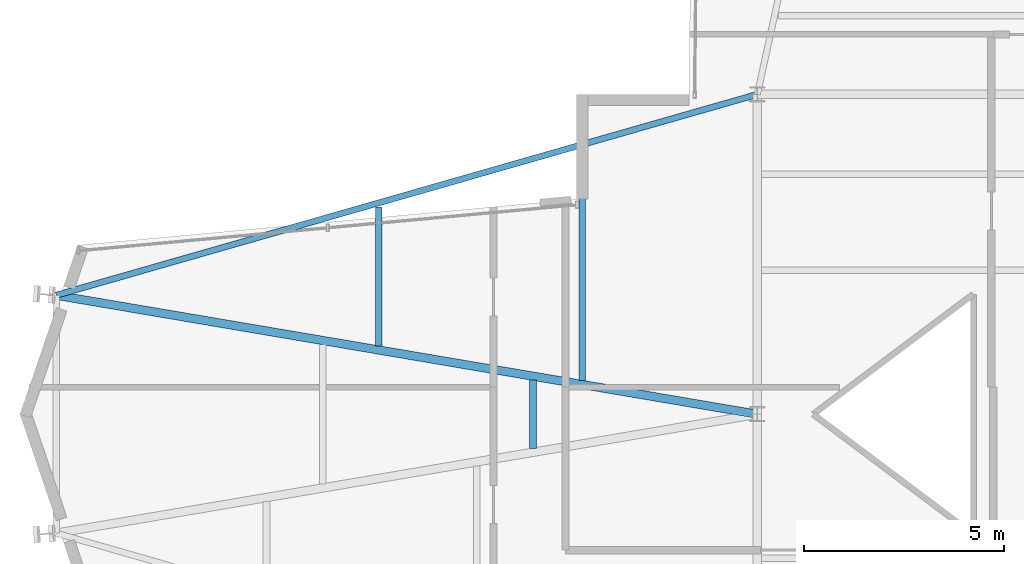
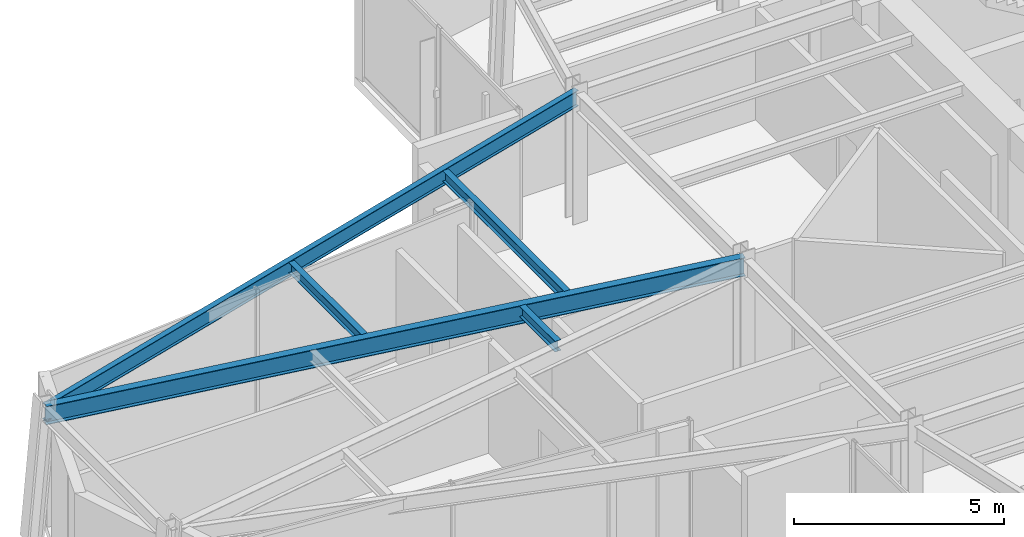
# One storey, part 10 of 21: 5 beams.
"""IFC4 building model written with IfcOpenShell, lengths in metres."""

from ifc_helpers import new_model, si_unit, direction, frame, origin, origin_2d, place, context, subcontext, project, spatial, i_section, extrude, material, material_profile, profile_set, type_object, element, save


model = new_model("IFC4")

# Units and contexts
model_context = context("Model", 3, precision=1e-05, world=origin(), true_north=direction((0.0, 1.0)))
body_context = subcontext(model_context, "Body", "Model", "MODEL_VIEW")
ifc_project = project(units=[si_unit("LENGTHUNIT", "METRE"), si_unit("AREAUNIT", "SQUARE_METRE"), si_unit("VOLUMEUNIT", "CUBIC_METRE"), si_unit("PLANEANGLEUNIT", "RADIAN"), si_unit("MASSUNIT", "GRAM", prefix="KILO")], contexts=[model_context])

# Site, building, storey
site_placement = place(None, origin())
site = spatial("IfcSite", under=ifc_project, at=site_placement, CompositionType="ELEMENT")
building_placement = place(site_placement, origin())
building = spatial("IfcBuilding", under=site, at=building_placement, Name="Veymaron Broadcast Tower", CompositionType="ELEMENT")
storey_placement = place(building_placement, frame((0.0, 0.0, 212.10009765625)))
storey = spatial("IfcBuildingStorey", under=building, at=storey_placement, Name="L49", CompositionType="ELEMENT", Elevation=212.10009765625)

# Beams
ifc_material = material(Name="Structural steel ASTM A992 Gr 50", Category="steel")
ifc_material_profile_1 = material_profile(ifc_material, i_section(OverallWidth=0.2099609375, OverallDepth=0.537109375, WebThickness=0.010986328125, FlangeThickness=0.017333984375, at=origin_2d()), Name="W530X101")
ifc_profile_set_1 = profile_set([ifc_material_profile_1], Name="Structural steel ASTM A992 Gr 50")
beam_type_1 = type_object("IfcBeamType", Name="BM-FG3", PredefinedType="BEAM", material=ifc_profile_set_1)
beam_1_placement = place(storey_placement, frame((13.6650390625, 26.97509765625, 3.521484375), z_axis=(0.985910023747, -0.167276492897, 0.0), x_axis=(0.167276492897, 0.985910023747, 0.0)))
element("IfcBeam", 1, at=beam_1_placement, inside=storey, type_object=beam_type_1, Name="L49 primary structural floor girder", PredefinedType="BEAM", context=body_context, shape_type="SweptSolid", body=[
    extrude(i_section(OverallWidth=0.2099609375, OverallDepth=0.537109375, WebThickness=0.010986328125, FlangeThickness=0.017333984375, at=origin_2d()), origin(), (0.0, 0.0, 1.0), 17.785400390625),
])
ifc_material_profile_2 = material_profile(ifc_material, i_section(OverallWidth=0.1650390625, OverallDepth=0.31005859375, WebThickness=0.005859375, FlangeThickness=0.009765625, at=origin_2d()), Name="W310X39")
ifc_profile_set_2 = profile_set([ifc_material_profile_2], Name="Structural steel ASTM A992 Gr 50")
beam_type_2 = type_object("IfcBeamType", Name="BM-JS3", PredefinedType="JOIST", material=ifc_profile_set_2)
beam_2_placement = place(storey_placement, frame((21.731201171875, 25.70654296875, 3.635009765625), z_axis=(0.0, 1.0, 0.0), x_axis=(-1.0, 0.0, 0.0)))
element("IfcBeam", 2, at=beam_2_placement, inside=storey, type_object=beam_type_2, Name="L49 Arm-A secondary joist 1N", PredefinedType="JOIST", context=body_context, shape_type="SweptSolid", body=[
    extrude(i_section(OverallWidth=0.1650390625, OverallDepth=0.31005859375, WebThickness=0.005859375, FlangeThickness=0.009765625, at=origin_2d()), origin(), (0.0, 0.0, 1.0), 3.47998046875),
])
beam_3_placement = place(storey_placement, frame((25.5888671875, 23.14794921875, 3.635009765625), z_axis=(0.0, 1.0, 0.0), x_axis=(-1.0, 0.0, 0.0)))
element("IfcBeam", 3, at=beam_3_placement, inside=storey, type_object=beam_type_2, Name="L49 Arm-A secondary joist 2M", PredefinedType="JOIST", context=body_context, shape_type="SweptSolid", body=[
    extrude(i_section(OverallWidth=0.1650390625, OverallDepth=0.31005859375, WebThickness=0.005859375, FlangeThickness=0.009765625, at=origin_2d()), origin(), (0.0, 0.0, 1.0), 1.7041015625),
])
beam_4_placement = place(storey_placement, frame((26.81640625, 24.84375, 3.635009765625), z_axis=(0.0, 1.0, 0.0), x_axis=(-1.0, 0.0, 0.0)))
element("IfcBeam", 4, at=beam_4_placement, inside=storey, type_object=beam_type_2, Name="L49 Arm-A secondary joist 2N", PredefinedType="JOIST", context=body_context, shape_type="SweptSolid", body=[
    extrude(i_section(OverallWidth=0.1650390625, OverallDepth=0.31005859375, WebThickness=0.005859375, FlangeThickness=0.009765625, at=origin_2d()), origin(), (0.0, 0.0, 1.0), 5.800048828125),
])
ifc_material_profile_3 = material_profile(ifc_material, i_section(OverallWidth=0.154052734375, OverallDepth=0.458984375, WebThickness=0.009033203125, FlangeThickness=0.015380859375, at=origin_2d()), Name="W460X68")
ifc_profile_set_3 = profile_set([ifc_material_profile_3], Name="Structural steel ASTM A992 Gr 50")
beam_type_3 = type_object("IfcBeamType", Name="BM-SP2", PredefinedType="SPANDREL", material=ifc_profile_set_3)
beam_5_placement = place(storey_placement, frame((13.6650390625, 26.97509765625, 3.560302734375), z_axis=(0.961307479344, 0.27547764003, 0.0), x_axis=(-0.27547764003, 0.961307479344, 0.0)))
element("IfcBeam", 5, at=beam_5_placement, inside=storey, type_object=beam_type_3, Name="L49 primary structural floor girder", PredefinedType="SPANDREL", context=body_context, shape_type="SweptSolid", body=[
    extrude(i_section(OverallWidth=0.154052734375, OverallDepth=0.458984375, WebThickness=0.009033203125, FlangeThickness=0.015380859375, at=origin_2d()), origin(), (0.0, 0.0, 1.0), 18.24072265625),
])

save(model, "model.ifc")
